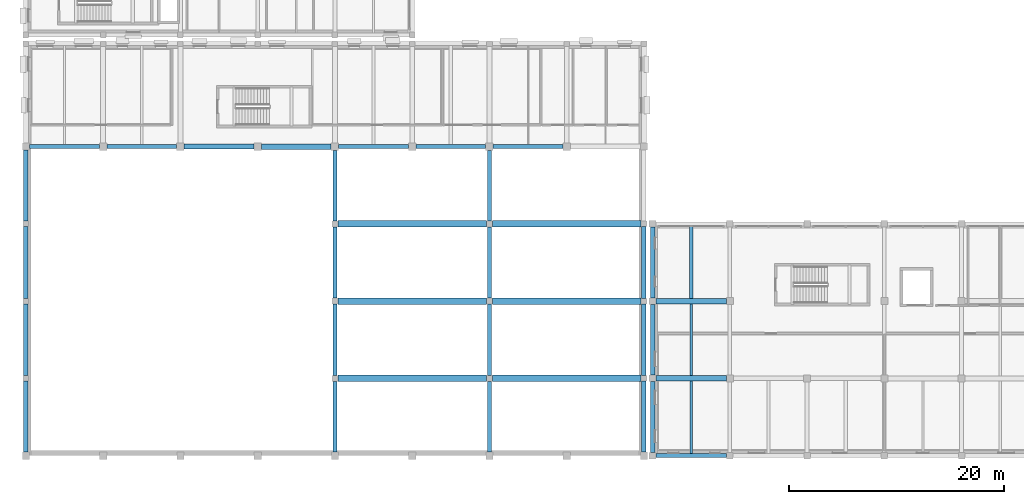
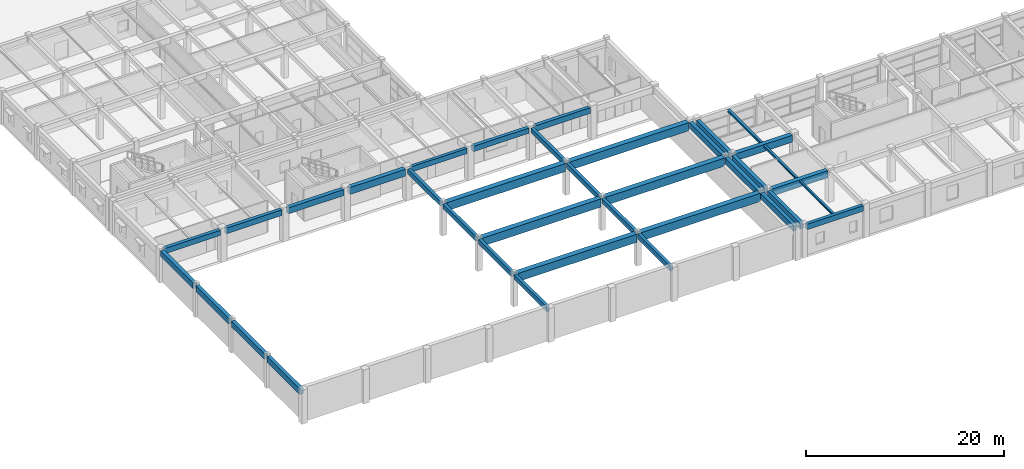
# One storey, part 3 of 67: 37 beams.
"""IFC4 building model written with IfcOpenShell, lengths in metres."""

import ifcopenshell
import ifcopenshell.guid

model = None  # the IFC model being written
_history = None  # IfcOwnerHistory: only IFC2X3 demands one
_inside = {}  # id of a spatial element -> (the spatial element, [elements in it])
_under = {}  # id of a project, library or spatial element -> (it, [spatial elements below it])
_declared = {}  # id of a project -> (the project, [libraries it declares])
_typed = {}  # id of a type object -> (the type object, [elements of that type])
_made_of = {}  # id of a material, layer set ... -> (it, [elements and type objects made of it])


def new_model(schema):
    """Start an empty IFC model of exactly this schema.

    Asked for "IFC4X3", IfcOpenShell would pick the latest addendum, in which some entities
    have other attributes; the version numbers below select the first issue.
    IFC2X3 requires an IfcOwnerHistory on every rooted entity: one is made here for all.
    """
    global model, _history
    if schema == "IFC4X3":
        model = ifcopenshell.file(schema_version=(4, 3, 0, 0))
    else:
        model = ifcopenshell.file(schema=schema)
    _inside.clear()
    _under.clear()
    _declared.clear()
    _typed.clear()
    _made_of.clear()
    _history = None
    if model.schema == "IFC2X3":
        org = make("IfcOrganization", Name="unknown")
        user = make(
            "IfcPersonAndOrganization",
            ThePerson=make("IfcPerson", FamilyName="unknown"),
            TheOrganization=org,
        )
        app = make(
            "IfcApplication",
            ApplicationDeveloper=org,
            Version="unknown",
            ApplicationFullName="unknown",
            ApplicationIdentifier="unknown",
        )
        _history = make(
            "IfcOwnerHistory",
            OwningUser=user,
            OwningApplication=app,
            ChangeAction="ADDED",
            CreationDate=0,
        )
    return model


def make(cls, **values):
    """One entity of the class cls with the attributes given. An attribute that is None is left unset."""
    return model.create_entity(
        cls, **{name: value for name, value in values.items() if value is not None}
    )


def rooted(cls, **values):
    """An entity with a GlobalId (a new one), such as an element, a storey or a relation."""
    return make(cls, GlobalId=ifcopenshell.guid.new(), OwnerHistory=_history, **values)


def si_unit(unit_type, name, prefix=None):
    """IfcSIUnit, for example si_unit("LENGTHUNIT", "METRE", prefix="MILLI")."""
    return make("IfcSIUnit", UnitType=unit_type, Prefix=prefix, Name=name)


def assignment(units):
    """IfcUnitAssignment: the units of a project."""
    return None if units is None else make("IfcUnitAssignment", Units=units)


def point(xyz):
    """IfcCartesianPoint."""
    return None if xyz is None else make("IfcCartesianPoint", Coordinates=xyz)


def direction(xyz):
    """IfcDirection."""
    return None if xyz is None else make("IfcDirection", DirectionRatios=xyz)


def frame(location, z_axis=None, x_axis=None):
    """IfcAxis2Placement3D, a coordinate frame: its origin and axes. An axis left out is left unset."""
    return make(
        "IfcAxis2Placement3D",
        Location=point(location),
        Axis=direction(z_axis),
        RefDirection=direction(x_axis),
    )


def frame_2d(location, x_axis=None):
    """IfcAxis2Placement2D, a coordinate frame in the plane: its origin and x axis."""
    return make(
        "IfcAxis2Placement2D", Location=point(location), RefDirection=direction(x_axis)
    )


def origin():
    """The frame at (0, 0, 0) with its axes left unset."""
    return frame((0.0, 0.0, 0.0))


def origin_2d():
    """The frame at (0, 0) in the plane with its x axis left unset."""
    return frame_2d((0.0, 0.0))


def place(relative_to, where):
    """IfcLocalPlacement: puts the frame where relative to a parent placement (None: the world)."""
    return make(
        "IfcLocalPlacement", PlacementRelTo=relative_to, RelativePlacement=where
    )


def context(
    kind, dimensions, precision=None, world=None, true_north=None, identifier=None
):
    """IfcGeometricRepresentationContext, for example the 3D "Model" context."""
    return make(
        "IfcGeometricRepresentationContext",
        ContextIdentifier=identifier,
        ContextType=kind,
        CoordinateSpaceDimension=dimensions,
        Precision=precision,
        WorldCoordinateSystem=world,
        TrueNorth=true_north,
    )


def subcontext(parent, identifier, kind, view, scale=None):
    """IfcGeometricRepresentationSubContext, for example "Body" below "Model"."""
    return make(
        "IfcGeometricRepresentationSubContext",
        ContextIdentifier=identifier,
        ContextType=kind,
        ParentContext=parent,
        TargetScale=scale,
        TargetView=view,
    )


def project(units=None, contexts=None):
    """IfcProject with its units and contexts."""
    return rooted(
        "IfcProject",
        Name="project",
        RepresentationContexts=contexts,
        UnitsInContext=assignment(units),
    )


def spatial(cls, under=None, at=None, **own):
    """A site, building, storey or space (cls), placed at a placement, below another one or the project."""
    s = rooted(cls, ObjectPlacement=at, **own)
    if under is not None:
        _under.setdefault(under.id(), (under, []))[1].append(s)
    return s


def profile(cls, at=None, kind="AREA", **sizes):
    """A parametric profile (cls). Its sizes go by their IFC names, for example OverallWidth=200.0."""
    return make(cls, ProfileType=kind, Position=at, **sizes)


def rectangle(**sizes):
    """IfcRectangleProfileDef."""
    return profile("IfcRectangleProfileDef", **sizes)


def i_section(**sizes):
    """IfcIShapeProfileDef."""
    return profile("IfcIShapeProfileDef", **sizes)


def extrude(swept, where, along, depth):
    """IfcExtrudedAreaSolid: the profile swept, set in the frame where, extruded along a direction by depth."""
    return make(
        "IfcExtrudedAreaSolid",
        SweptArea=swept,
        Position=where,
        ExtrudedDirection=direction(along),
        Depth=depth,
    )


def shape(context_of_items, identifier, shape_type, items):
    """IfcShapeRepresentation: the items that make up one representation, for example the "Body"."""
    return make(
        "IfcShapeRepresentation",
        ContextOfItems=context_of_items,
        RepresentationIdentifier=identifier,
        RepresentationType=shape_type,
        Items=items,
    )


def material(Name=None, Category=None):
    """IfcMaterial."""
    return make("IfcMaterial", Name=Name, Category=Category)


def material_profile(
    of_material, cross_section, Name=None, Category=None, Priority=None
):
    """IfcMaterialProfile: a cross section and its material."""
    return make(
        "IfcMaterialProfile",
        Name=Name,
        Material=of_material,
        Profile=cross_section,
        Priority=Priority,
        Category=Category,
    )


def profile_set(profiles, Name=None, composite=None):
    """IfcMaterialProfileSet."""
    return make(
        "IfcMaterialProfileSet",
        Name=Name,
        MaterialProfiles=profiles,
        CompositeProfile=composite,
    )


def made_of(thing, what):
    """Note that an element or type object is made of a material, layer set ...; save() writes the relation."""
    if what is not None:
        _made_of.setdefault(what.id(), (what, []))[1].append(thing)
    return thing


def type_object(cls, material=None, **own):
    """A type object (cls), such as IfcWallType, which elements share."""
    return made_of(rooted(cls, **own), material)


def element(
    cls,
    number,
    at=None,
    inside=None,
    cuts=None,
    type_object=None,
    material=None,
    context=None,
    identifier="Body",
    shape_type=None,
    held_by="IfcProductDefinitionShape",
    body=None,
    shapes=None,
    **own,
):
    """One element of the class cls, such as IfcWall. Its Tag is "e" and its number.

    at: its placement. inside: the storey or other place that contains it. cuts: it is an
    opening in that element (IfcRelVoidsElement). A single representation is given by context,
    identifier, shape_type and body (its items); several are given by shapes. held_by: the class
    of the entity that holds the representations. save() writes the other relations.
    """
    e = rooted(cls, Tag="e%d" % number, ObjectPlacement=at, **own)
    if body is not None:
        shapes = [shape(context, identifier, shape_type, body)]
    if shapes is not None:
        e.Representation = make(held_by, Representations=shapes)
    if inside is not None:
        _inside.setdefault(inside.id(), (inside, []))[1].append(e)
    if cuts is not None:
        rooted(
            "IfcRelVoidsElement", RelatingBuildingElement=cuts, RelatedOpeningElement=e
        )
    if type_object is not None:
        _typed.setdefault(type_object.id(), (type_object, []))[1].append(e)
    return made_of(e, material)


def aggregate(whole, parts):
    """IfcRelAggregates: a whole, such as a stair, and the parts it consists of."""
    return rooted("IfcRelAggregates", RelatingObject=whole, RelatedObjects=parts)


def save(model, path):
    """Write the relations noted so far, then the file.

    IfcRelAggregates (storeys below a building ...), IfcRelContainedInSpatialStructure (elements
    in a storey), IfcRelDefinesByType, IfcRelAssociatesMaterial and IfcRelDeclares: one each for
    every whole, place, type object, material and project.
    """
    for whole, parts in _under.values():
        aggregate(whole, parts)
    for where, things in _inside.values():
        rooted(
            "IfcRelContainedInSpatialStructure",
            RelatedElements=things,
            RelatingStructure=where,
        )
    for kind, things in _typed.values():
        rooted("IfcRelDefinesByType", RelatedObjects=things, RelatingType=kind)
    for what, things in _made_of.values():
        rooted("IfcRelAssociatesMaterial", RelatedObjects=things, RelatingMaterial=what)
    for by, libraries in _declared.values():
        rooted("IfcRelDeclares", RelatingContext=by, RelatedDefinitions=libraries)
    model.write(path)


model = new_model("IFC4")

# Units and contexts
model_context = context("Model", 3, precision=1e-05, world=origin(), true_north=direction((0.0, 1.0)))
body_context = subcontext(model_context, "Body", "Model", "MODEL_VIEW")
ifc_project = project(units=[si_unit("LENGTHUNIT", "METRE"), si_unit("AREAUNIT", "SQUARE_METRE"), si_unit("VOLUMEUNIT", "CUBIC_METRE"), si_unit("PLANEANGLEUNIT", "RADIAN"), si_unit("MASSUNIT", "GRAM", prefix="KILO")], contexts=[model_context])

# Site, building, storey
site_placement = place(None, origin())
site = spatial("IfcSite", under=ifc_project, at=site_placement, CompositionType="ELEMENT")
building_placement = place(site_placement, origin())
building = spatial("IfcBuilding", under=site, at=building_placement, Name="Bramveld Media Centre", CompositionType="ELEMENT")
storey_placement = place(building_placement, frame((0.0, 0.0, 5.39990234375)))
storey = spatial("IfcBuildingStorey", under=building, at=storey_placement, Name="L01", CompositionType="ELEMENT", Elevation=5.39990234375)

# Beams
ifc_material_1 = material(Name="Concrete C40/50", Category="concrete")
ifc_material_profile_1 = material_profile(ifc_material_1, rectangle(XDim=0.35009765625, YDim=0.60009765625, at=origin_2d()), Name="RC 350x600")
ifc_profile_set_1 = profile_set([ifc_material_profile_1], Name="Concrete C40/50")
beam_type_1 = type_object("IfcBeamType", Name="BM-INT-RC-350x600", PredefinedType="BEAM", material=ifc_profile_set_1)
beam_1_placement = place(storey_placement, frame((28.800048828125, 0.340087890625, 3.650146484375), z_axis=(0.0, 1.0, 0.0), x_axis=(-1.0, 0.0, 0.0)))
element("IfcBeam", 1, at=beam_1_placement, inside=storey, type_object=beam_type_1, Name="V2 L01 girder Y-168", PredefinedType="BEAM", context=body_context, shape_type="SweptSolid", body=[
    extrude(rectangle(XDim=0.35009765625, YDim=0.60009765625, at=origin_2d()), origin(), (0.0, 0.0, 1.0), 6.5849609375),
])
for number, where, z_axis, x_axis, name in (
    (2, (28.800048828125, 7.47509765625, 3.650146484375), (0.0, 1.0, 0.0), (-1.0, 0.0, 0.0), "V2 L01 girder Y-169"),
    (3, (28.800048828125, 14.675048828125, 3.650146484375), (0.0, 1.0, 0.0), (-1.0, 0.0, 0.0), "V2 L01 girder Y-170"),
):
    element("IfcBeam", number, at=place(storey_placement, frame(where, z_axis=z_axis, x_axis=x_axis)), inside=storey, type_object=beam_type_1, Name=name, PredefinedType="BEAM", context=body_context, shape_type="SweptSolid", body=[
        extrude(rectangle(XDim=0.35009765625, YDim=0.60009765625, at=origin_2d()), origin(), (0.0, 0.0, 1.0), 6.64990234375),
    ])
beam_2_placement = place(storey_placement, frame((28.800048828125, 21.875, 3.650146484375), z_axis=(0.0, 1.0, 0.0), x_axis=(-1.0, 0.0, 0.0)))
element("IfcBeam", 4, at=beam_2_placement, inside=storey, type_object=beam_type_1, Name="V2 L01 girder Y-171", PredefinedType="BEAM", context=body_context, shape_type="SweptSolid", body=[
    extrude(rectangle(XDim=0.35009765625, YDim=0.60009765625, at=origin_2d()), origin(), (0.0, 0.0, 1.0), 6.574951171875),
])
beam_3_placement = place(storey_placement, frame((43.199951171875, 0.340087890625, 3.650146484375), z_axis=(0.0, 1.0, 0.0), x_axis=(-1.0, 0.0, 0.0)))
element("IfcBeam", 5, at=beam_3_placement, inside=storey, type_object=beam_type_1, Name="V2 L01 girder Y-174", PredefinedType="BEAM", context=body_context, shape_type="SweptSolid", body=[
    extrude(rectangle(XDim=0.35009765625, YDim=0.60009765625, at=origin_2d()), origin(), (0.0, 0.0, 1.0), 6.5849609375),
])
for number, where, z_axis, x_axis, name in (
    (6, (43.199951171875, 7.47509765625, 3.650146484375), (0.0, 1.0, 0.0), (-1.0, 0.0, 0.0), "V2 L01 girder Y-175"),
    (7, (43.199951171875, 14.675048828125, 3.650146484375), (0.0, 1.0, 0.0), (-1.0, 0.0, 0.0), "V2 L01 girder Y-176"),
):
    element("IfcBeam", number, at=place(storey_placement, frame(where, z_axis=z_axis, x_axis=x_axis)), inside=storey, type_object=beam_type_1, Name=name, PredefinedType="BEAM", context=body_context, shape_type="SweptSolid", body=[
        extrude(rectangle(XDim=0.35009765625, YDim=0.60009765625, at=origin_2d()), origin(), (0.0, 0.0, 1.0), 6.64990234375),
    ])
beam_4_placement = place(storey_placement, frame((43.199951171875, 21.875, 3.650146484375), z_axis=(0.0, 1.0, 0.0), x_axis=(-1.0, 0.0, 0.0)))
element("IfcBeam", 8, at=beam_4_placement, inside=storey, type_object=beam_type_1, Name="V2 L01 girder Y-177", PredefinedType="BEAM", context=body_context, shape_type="SweptSolid", body=[
    extrude(rectangle(XDim=0.35009765625, YDim=0.60009765625, at=origin_2d()), origin(), (0.0, 0.0, 1.0), 6.574951171875),
])
ifc_material_2 = material(Name="Concrete C40/50", Category="concrete")
ifc_material_profile_2 = material_profile(ifc_material_2, rectangle(XDim=0.35009765625, YDim=0.64990234375, at=origin_2d()), Name="RC 350x650")
ifc_profile_set_2 = profile_set([ifc_material_profile_2], Name="Concrete C40/50")
beam_type_2 = type_object("IfcBeamType", Name="BM-INT-RC-350x650", PredefinedType="BEAM", material=ifc_profile_set_2)
beam_5_placement = place(storey_placement, frame((29.14990234375, 28.800048828125, 3.59521484375), z_axis=(1.0, 0.0, 0.0), x_axis=(0.0, 1.0, 0.0)))
element("IfcBeam", 9, at=beam_5_placement, inside=storey, type_object=beam_type_2, Name="V2 L01 girder X-149", PredefinedType="BEAM", context=body_context, shape_type="SweptSolid", body=[
    extrude(rectangle(XDim=0.35009765625, YDim=0.64990234375, at=origin_2d()), origin(), (0.0, 0.0, 1.0), 6.5),
])
ifc_material_3 = material(Name="Concrete C40/50", Category="concrete")
ifc_material_profile_3 = material_profile(ifc_material_3, rectangle(XDim=0.39990234375, YDim=0.64990234375, at=origin_2d()), Name="RC 400x650")
ifc_profile_set_3 = profile_set([ifc_material_profile_3], Name="Concrete C40/50")
beam_type_3 = type_object("IfcBeamType", Name="BM-INT-RC-400x650", PredefinedType="BEAM", material=ifc_profile_set_3)
beam_6_placement = place(storey_placement, frame((0.340087890625, 28.800048828125, 3.59521484375), z_axis=(1.0, 0.0, 0.0), x_axis=(0.0, 1.0, 0.0)))
element("IfcBeam", 10, at=beam_6_placement, inside=storey, type_object=beam_type_3, Name="V2 L01 girder X-145", PredefinedType="BEAM", context=body_context, shape_type="SweptSolid", body=[
    extrude(rectangle(XDim=0.39990234375, YDim=0.64990234375, at=origin_2d()), origin(), (0.0, 0.0, 1.0), 6.510009765625),
])
beam_7_placement = place(storey_placement, frame((36.35009765625, 28.800048828125, 3.59521484375), z_axis=(1.0, 0.0, 0.0), x_axis=(0.0, 1.0, 0.0)))
element("IfcBeam", 11, at=beam_7_placement, inside=storey, type_object=beam_type_3, Name="V2 L01 girder X-150", PredefinedType="BEAM", context=body_context, shape_type="SweptSolid", body=[
    extrude(rectangle(XDim=0.39990234375, YDim=0.64990234375, at=origin_2d()), origin(), (0.0, 0.0, 1.0), 6.5),
])
ifc_material_4 = material(Name="Concrete C40/50", Category="concrete")
ifc_material_profile_4 = material_profile(ifc_material_4, rectangle(XDim=0.39990234375, YDim=0.699951171875, at=origin_2d()), Name="RC 400x700")
ifc_profile_set_4 = profile_set([ifc_material_profile_4], Name="Concrete C40/50")
beam_type_4 = type_object("IfcBeamType", Name="BM-INT-RC-400x700", PredefinedType="BEAM", material=ifc_profile_set_4)
for number, where, z_axis, x_axis, name in (
    (12, (7.550048828125, 28.800048828125, 3.570068359375), (1.0, 0.0, 0.0), (0.0, 1.0, 0.0), "V2 L01 girder X-146"),
    (13, (43.550048828125, 28.800048828125, 3.570068359375), (1.0, 0.0, 0.0), (0.0, 1.0, 0.0), "V2 L01 girder X-151"),
):
    element("IfcBeam", number, at=place(storey_placement, frame(where, z_axis=z_axis, x_axis=x_axis)), inside=storey, type_object=beam_type_4, Name=name, PredefinedType="BEAM", context=body_context, shape_type="SweptSolid", body=[
        extrude(rectangle(XDim=0.39990234375, YDim=0.699951171875, at=origin_2d()), origin(), (0.0, 0.0, 1.0), 6.5),
    ])
ifc_material_5 = material(Name="Concrete C40/50", Category="concrete")
ifc_material_profile_5 = material_profile(ifc_material_5, rectangle(XDim=0.449951171875, YDim=0.75, at=origin_2d()), Name="RC 450x750")
ifc_profile_set_5 = profile_set([ifc_material_profile_5], Name="Concrete C40/50")
beam_type_5 = type_object("IfcBeamType", Name="BM-INT-RC-450x750", PredefinedType="BEAM", material=ifc_profile_set_5)
beam_8_placement = place(storey_placement, frame((14.75, 28.800048828125, 3.545166015625), z_axis=(1.0, 0.0, 0.0), x_axis=(0.0, 1.0, 0.0)))
element("IfcBeam", 14, at=beam_8_placement, inside=storey, type_object=beam_type_5, Name="V2 L01 girder X-147", PredefinedType="BEAM", context=body_context, shape_type="SweptSolid", body=[
    extrude(rectangle(XDim=0.449951171875, YDim=0.75, at=origin_2d()), origin(), (0.0, 0.0, 1.0), 6.5),
])
ifc_material_6 = material(Name="Concrete C40/50", Category="concrete")
ifc_material_profile_6 = material_profile(ifc_material_6, rectangle(XDim=0.5, YDim=0.85009765625, at=origin_2d()), Name="RC 500x850")
ifc_profile_set_6 = profile_set([ifc_material_profile_6], Name="Concrete C40/50")
beam_type_6 = type_object("IfcBeamType", Name="BM-INT-RC-500x850", PredefinedType="BEAM", material=ifc_profile_set_6)
beam_9_placement = place(storey_placement, frame((21.949951171875, 28.800048828125, 3.4951171875), z_axis=(1.0, 0.0, 0.0), x_axis=(0.0, 1.0, 0.0)))
element("IfcBeam", 15, at=beam_9_placement, inside=storey, type_object=beam_type_6, Name="V2 L01 girder X-148", PredefinedType="BEAM", context=body_context, shape_type="SweptSolid", body=[
    extrude(rectangle(XDim=0.5, YDim=0.85009765625, at=origin_2d()), origin(), (0.0, 0.0, 1.0), 6.5),
])
for number, where, z_axis, x_axis, name in (
    (16, (58.7099609375, 7.199951171875, 3.525146484375), (1.0, 0.0, 0.0), (0.0, 1.0, 0.0), "V5 L01 girder X-723"),
    (17, (58.7099609375, 14.39990234375, 3.525146484375), (1.0, 0.0, 0.0), (0.0, 1.0, 0.0), "V5 L01 girder X-730"),
):
    element("IfcBeam", number, at=place(storey_placement, frame(where, z_axis=z_axis, x_axis=x_axis)), inside=storey, type_object=beam_type_6, Name=name, PredefinedType="BEAM", context=body_context, shape_type="SweptSolid", body=[
        extrude(rectangle(XDim=0.5, YDim=0.85009765625, at=origin_2d()), origin(), (0.0, 0.0, 1.0), 6.56494140625),
    ])
ifc_material_7 = material(Name="Concrete C40/50", Category="concrete")
ifc_material_profile_7 = material_profile(ifc_material_7, rectangle(XDim=0.60009765625, YDim=1.0, at=origin_2d()), Name="RC 600x1000")
ifc_profile_set_7 = profile_set([ifc_material_profile_7], Name="Concrete C40/50")
beam_type_7 = type_object("IfcBeamType", Name="BM-INT-RC-600x1000", PredefinedType="BEAM", material=ifc_profile_set_7)
beam_10_placement = place(storey_placement, frame((29.074951171875, 7.199951171875, 3.4501953125), z_axis=(1.0, 0.0, 0.0), x_axis=(0.0, 1.0, 0.0)))
element("IfcBeam", 18, at=beam_10_placement, inside=storey, type_object=beam_type_7, Name="V2 L01 girder X-139", PredefinedType="BEAM", context=body_context, shape_type="SweptSolid", body=[
    extrude(rectangle(XDim=0.60009765625, YDim=1.0, at=origin_2d()), origin(), (0.0, 0.0, 1.0), 13.85009765625),
])
beam_11_placement = place(storey_placement, frame((43.47509765625, 7.199951171875, 3.4501953125), z_axis=(1.0, 0.0, 0.0), x_axis=(0.0, 1.0, 0.0)))
element("IfcBeam", 19, at=beam_11_placement, inside=storey, type_object=beam_type_7, Name="V2 L01 girder X-140", PredefinedType="BEAM", context=body_context, shape_type="SweptSolid", body=[
    extrude(rectangle(XDim=0.60009765625, YDim=1.0, at=origin_2d()), origin(), (0.0, 0.0, 1.0), 13.864990234375),
])
beam_12_placement = place(storey_placement, frame((29.074951171875, 14.39990234375, 3.4501953125), z_axis=(1.0, 0.0, 0.0), x_axis=(0.0, 1.0, 0.0)))
element("IfcBeam", 20, at=beam_12_placement, inside=storey, type_object=beam_type_7, Name="V2 L01 girder X-141", PredefinedType="BEAM", context=body_context, shape_type="SweptSolid", body=[
    extrude(rectangle(XDim=0.60009765625, YDim=1.0, at=origin_2d()), origin(), (0.0, 0.0, 1.0), 13.85009765625),
])
beam_13_placement = place(storey_placement, frame((43.47509765625, 14.39990234375, 3.4501953125), z_axis=(1.0, 0.0, 0.0), x_axis=(0.0, 1.0, 0.0)))
element("IfcBeam", 21, at=beam_13_placement, inside=storey, type_object=beam_type_7, Name="V2 L01 girder X-142", PredefinedType="BEAM", context=body_context, shape_type="SweptSolid", body=[
    extrude(rectangle(XDim=0.60009765625, YDim=1.0, at=origin_2d()), origin(), (0.0, 0.0, 1.0), 13.864990234375),
])
beam_14_placement = place(storey_placement, frame((29.074951171875, 21.60009765625, 3.4501953125), z_axis=(1.0, 0.0, 0.0), x_axis=(0.0, 1.0, 0.0)))
element("IfcBeam", 22, at=beam_14_placement, inside=storey, type_object=beam_type_7, Name="V2 L01 girder X-143", PredefinedType="BEAM", context=body_context, shape_type="SweptSolid", body=[
    extrude(rectangle(XDim=0.60009765625, YDim=1.0, at=origin_2d()), origin(), (0.0, 0.0, 1.0), 13.85009765625),
])
beam_15_placement = place(storey_placement, frame((43.47509765625, 21.60009765625, 3.4501953125), z_axis=(1.0, 0.0, 0.0), x_axis=(0.0, 1.0, 0.0)))
element("IfcBeam", 23, at=beam_15_placement, inside=storey, type_object=beam_type_7, Name="V2 L01 girder X-144", PredefinedType="BEAM", context=body_context, shape_type="SweptSolid", body=[
    extrude(rectangle(XDim=0.60009765625, YDim=1.0, at=origin_2d()), origin(), (0.0, 0.0, 1.0), 13.864990234375),
])
ifc_material_8 = material(Name="Steel S355J2", Category="steel")
ifc_material_profile_8 = material_profile(ifc_material_8, i_section(OverallWidth=0.239990234375, OverallDepth=0.22998046875, WebThickness=0.007568359375, FlangeThickness=0.011962890625, FilletRadius=0.02099609375, at=origin_2d()), Name="HEA 240")
ifc_profile_set_8 = profile_set([ifc_material_profile_8], Name="Steel S355J2")
beam_type_8 = type_object("IfcBeamType", Name="SBM-INT-HEA-240", PredefinedType="BEAM", material=ifc_profile_set_8)
beam_16_placement = place(storey_placement, frame((62.0, 0.18994140625, 3.835205078125), z_axis=(0.0, 1.0, 0.0), x_axis=(-1.0, 0.0, 0.0)))
element("IfcBeam", 24, at=beam_16_placement, inside=storey, type_object=beam_type_8, Name="V5 L01 secondary floor joist 763", PredefinedType="BEAM", context=body_context, shape_type="SweptSolid", body=[
    extrude(i_section(OverallWidth=0.239990234375, OverallDepth=0.22998046875, WebThickness=0.007568359375, FlangeThickness=0.011962890625, FilletRadius=0.02099609375, at=origin_2d()), origin(), (0.0, 0.0, 1.0), 6.760009765625),
])
ifc_material_9 = material(Name="Steel S355J2", Category="steel")
ifc_material_profile_9 = material_profile(ifc_material_9, i_section(OverallWidth=0.260009765625, OverallDepth=0.25, WebThickness=0.007568359375, FlangeThickness=0.012451171875, FilletRadius=0.02392578125, at=origin_2d()), Name="HEA 260")
ifc_profile_set_9 = profile_set([ifc_material_profile_9], Name="Steel S355J2")
beam_type_9 = type_object("IfcBeamType", Name="SBM-INT-HEA-260", PredefinedType="BEAM", material=ifc_profile_set_9)
beam_17_placement = place(storey_placement, frame((62.0, 7.449951171875, 3.8251953125), z_axis=(0.0, 1.0, 0.0), x_axis=(-1.0, 0.0, 0.0)))
element("IfcBeam", 25, at=beam_17_placement, inside=storey, type_object=beam_type_9, Name="V5 L01 secondary floor joist 764", PredefinedType="BEAM", context=body_context, shape_type="SweptSolid", body=[
    extrude(i_section(OverallWidth=0.260009765625, OverallDepth=0.25, WebThickness=0.007568359375, FlangeThickness=0.012451171875, FilletRadius=0.02392578125, at=origin_2d()), origin(), (0.0, 0.0, 1.0), 6.699951171875),
])
ifc_material_10 = material(Name="Steel S355J2", Category="steel")
ifc_material_profile_10 = material_profile(ifc_material_10, i_section(OverallWidth=0.300048828125, OverallDepth=0.2900390625, WebThickness=0.008544921875, FlangeThickness=0.013916015625, FilletRadius=0.027099609375, at=origin_2d()), Name="HEA 300")
ifc_profile_set_10 = profile_set([ifc_material_profile_10], Name="Steel S355J2")
beam_type_10 = type_object("IfcBeamType", Name="SBM-INT-HEA-300", PredefinedType="BEAM", material=ifc_profile_set_10)
beam_18_placement = place(storey_placement, frame((62.0, 14.64990234375, 3.80517578125), z_axis=(0.0, 1.0, 0.0), x_axis=(-1.0, 0.0, 0.0)))
element("IfcBeam", 26, at=beam_18_placement, inside=storey, type_object=beam_type_10, Name="V5 L01 secondary floor joist 765", PredefinedType="BEAM", context=body_context, shape_type="SweptSolid", body=[
    extrude(i_section(OverallWidth=0.300048828125, OverallDepth=0.2900390625, WebThickness=0.008544921875, FlangeThickness=0.013916015625, FilletRadius=0.027099609375, at=origin_2d()), origin(), (0.0, 0.0, 1.0), 6.760009765625),
])
ifc_material_11 = material(Name="Concrete C40/50", Category="concrete")
ifc_material_profile_11 = material_profile(ifc_material_11, rectangle(XDim=0.3798828125, YDim=0.679931640625, at=origin_2d()), Name="RC 380x680")
ifc_profile_set_11 = profile_set([ifc_material_profile_11], Name="Concrete C40/50")
beam_type_11 = type_object("IfcBeamType", Name="SPANDREL-EXT-RC-380x680", PredefinedType="SPANDREL", material=ifc_profile_set_11)
beam_19_placement = place(storey_placement, frame((58.7099609375, 0.0, 3.610107421875), z_axis=(1.0, 0.0, 0.0), x_axis=(0.0, 1.0, 0.0)))
element("IfcBeam", 27, at=beam_19_placement, inside=storey, type_object=beam_type_11, Name="V5 L01 girder X-716", PredefinedType="SPANDREL", context=body_context, shape_type="SweptSolid", body=[
    extrude(rectangle(XDim=0.3798828125, YDim=0.679931640625, at=origin_2d()), origin(), (0.0, 0.0, 1.0), 6.580078125),
])
ifc_material_12 = material(Name="Concrete C40/50", Category="concrete")
ifc_material_profile_12 = material_profile(ifc_material_12, rectangle(XDim=0.419921875, YDim=0.719970703125, at=origin_2d()), Name="RC 420x720")
ifc_profile_set_12 = profile_set([ifc_material_profile_12], Name="Concrete C40/50")
beam_type_12 = type_object("IfcBeamType", Name="SPANDREL-EXT-RC-420x720", PredefinedType="SPANDREL", material=ifc_profile_set_12)
beam_20_placement = place(storey_placement, frame((0.0, 0.340087890625, 3.590087890625), z_axis=(0.0, 1.0, 0.0), x_axis=(-1.0, 0.0, 0.0)))
element("IfcBeam", 28, at=beam_20_placement, inside=storey, type_object=beam_type_12, Name="V2 L01 girder Y-161", PredefinedType="SPANDREL", context=body_context, shape_type="SweptSolid", body=[
    extrude(rectangle(XDim=0.419921875, YDim=0.719970703125, at=origin_2d()), origin(), (0.0, 0.0, 1.0), 6.599853515625),
])
beam_21_placement = place(storey_placement, frame((0.0, 7.4599609375, 3.590087890625), z_axis=(0.0, 1.0, 0.0), x_axis=(-1.0, 0.0, 0.0)))
element("IfcBeam", 29, at=beam_21_placement, inside=storey, type_object=beam_type_12, Name="V2 L01 girder Y-162", PredefinedType="SPANDREL", context=body_context, shape_type="SweptSolid", body=[
    extrude(rectangle(XDim=0.419921875, YDim=0.719970703125, at=origin_2d()), origin(), (0.0, 0.0, 1.0), 6.679931640625),
])
beam_22_placement = place(storey_placement, frame((0.0, 14.659912109375, 3.590087890625), z_axis=(0.0, 1.0, 0.0), x_axis=(-1.0, 0.0, 0.0)))
element("IfcBeam", 30, at=beam_22_placement, inside=storey, type_object=beam_type_12, Name="V2 L01 girder Y-163", PredefinedType="SPANDREL", context=body_context, shape_type="SweptSolid", body=[
    extrude(rectangle(XDim=0.419921875, YDim=0.719970703125, at=origin_2d()), origin(), (0.0, 0.0, 1.0), 6.68017578125),
])
for number, where, z_axis, x_axis, name in (
    (31, (0.0, 21.860107421875, 3.590087890625), (0.0, 1.0, 0.0), (-1.0, 0.0, 0.0), "V2 L01 girder Y-164"),
    (32, (57.60009765625, 0.340087890625, 3.590087890625), (0.0, 1.0, 0.0), (-1.0, 0.0, 0.0), "V2 L01 girder Y-180"),
):
    element("IfcBeam", number, at=place(storey_placement, frame(where, z_axis=z_axis, x_axis=x_axis)), inside=storey, type_object=beam_type_12, Name=name, PredefinedType="SPANDREL", context=body_context, shape_type="SweptSolid", body=[
        extrude(rectangle(XDim=0.419921875, YDim=0.719970703125, at=origin_2d()), origin(), (0.0, 0.0, 1.0), 6.599853515625),
    ])
beam_23_placement = place(storey_placement, frame((57.60009765625, 7.4599609375, 3.590087890625), z_axis=(0.0, 1.0, 0.0), x_axis=(-1.0, 0.0, 0.0)))
element("IfcBeam", 33, at=beam_23_placement, inside=storey, type_object=beam_type_12, Name="V2 L01 girder Y-181", PredefinedType="SPANDREL", context=body_context, shape_type="SweptSolid", body=[
    extrude(rectangle(XDim=0.419921875, YDim=0.719970703125, at=origin_2d()), origin(), (0.0, 0.0, 1.0), 6.679931640625),
])
beam_24_placement = place(storey_placement, frame((57.60009765625, 14.659912109375, 3.590087890625), z_axis=(0.0, 1.0, 0.0), x_axis=(-1.0, 0.0, 0.0)))
element("IfcBeam", 34, at=beam_24_placement, inside=storey, type_object=beam_type_12, Name="V2 L01 girder Y-182", PredefinedType="SPANDREL", context=body_context, shape_type="SweptSolid", body=[
    extrude(rectangle(XDim=0.419921875, YDim=0.719970703125, at=origin_2d()), origin(), (0.0, 0.0, 1.0), 6.68017578125),
])
beam_25_placement = place(storey_placement, frame((58.39990234375, 0.31005859375, 3.590087890625), z_axis=(0.0, 1.0, 0.0), x_axis=(-1.0, 0.0, 0.0)))
element("IfcBeam", 35, at=beam_25_placement, inside=storey, type_object=beam_type_12, Name="V5 L01 girder Y-741", PredefinedType="SPANDREL", context=body_context, shape_type="SweptSolid", body=[
    extrude(rectangle(XDim=0.419921875, YDim=0.719970703125, at=origin_2d()), origin(), (0.0, 0.0, 1.0), 6.579833984375),
])
for number, where, z_axis, x_axis, name in (
    (36, (58.39990234375, 7.510009765625, 3.590087890625), (0.0, 1.0, 0.0), (-1.0, 0.0, 0.0), "V5 L01 girder Y-742"),
    (37, (58.39990234375, 14.7099609375, 3.590087890625), (0.0, 1.0, 0.0), (-1.0, 0.0, 0.0), "V5 L01 girder Y-743"),
):
    element("IfcBeam", number, at=place(storey_placement, frame(where, z_axis=z_axis, x_axis=x_axis)), inside=storey, type_object=beam_type_12, Name=name, PredefinedType="SPANDREL", context=body_context, shape_type="SweptSolid", body=[
        extrude(rectangle(XDim=0.419921875, YDim=0.719970703125, at=origin_2d()), origin(), (0.0, 0.0, 1.0), 6.580078125),
    ])

save(model, "model.ifc")
